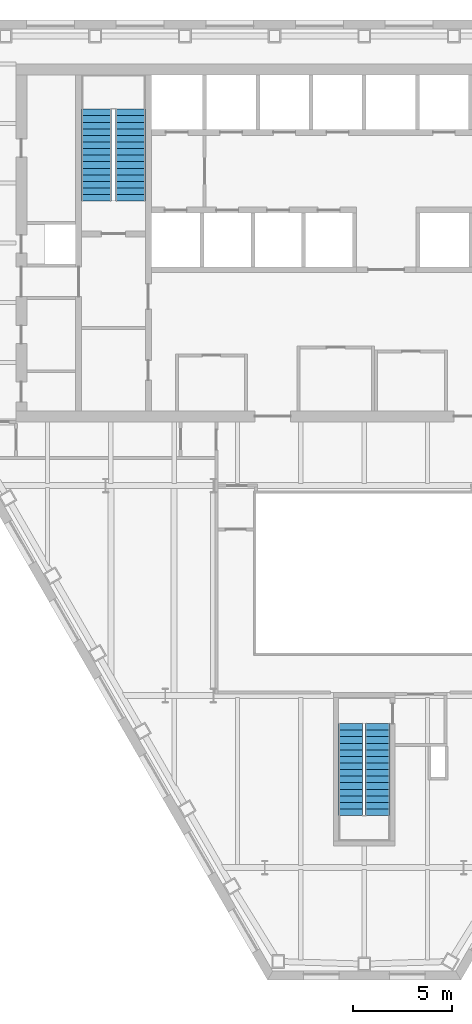
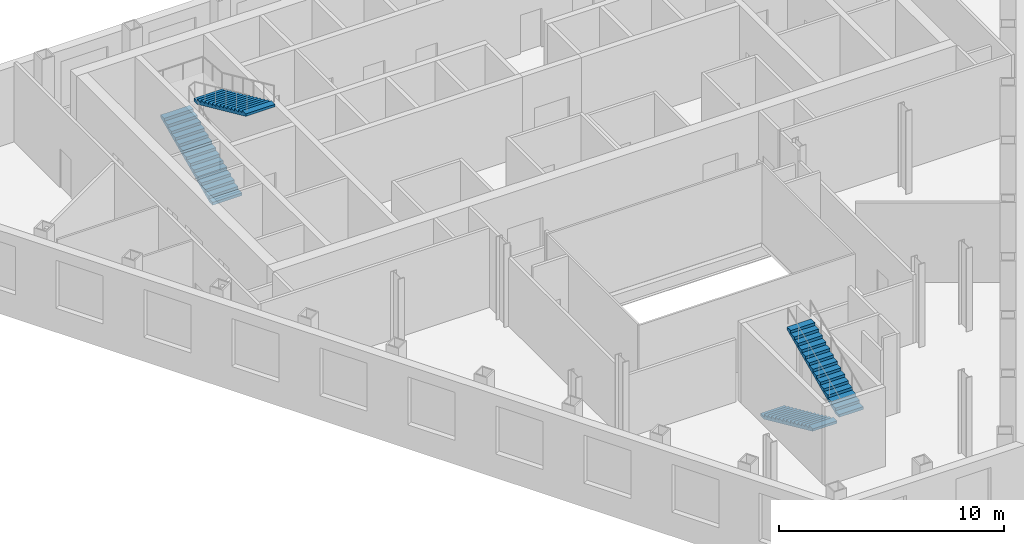
# One storey, part 9 of 11: 4 stair flights, 2 elements without a shape of their own.
"""IFC4 building model written with IfcOpenShell, lengths in metres."""

from ifc_helpers import new_model, si_unit, direction, frame, origin, place, context, subcontext, project, spatial, polygons, material, type_object, element, aggregate, save


model = new_model("IFC4")

# Units and contexts
model_context = context("Model", 3, precision=1e-05, world=origin(), true_north=direction((0.0, 1.0)))
body_context = subcontext(model_context, "Body", "Model", "MODEL_VIEW")
ifc_project = project(units=[si_unit("LENGTHUNIT", "METRE"), si_unit("AREAUNIT", "SQUARE_METRE"), si_unit("VOLUMEUNIT", "CUBIC_METRE"), si_unit("PLANEANGLEUNIT", "RADIAN"), si_unit("MASSUNIT", "GRAM", prefix="KILO")], contexts=[model_context])

# Site, building, storey
site_placement = place(None, origin())
site = spatial("IfcSite", under=ifc_project, at=site_placement, CompositionType="ELEMENT")
building_placement = place(site_placement, origin())
building = spatial("IfcBuilding", under=site, at=building_placement, Name="Njiva Tower", CompositionType="ELEMENT")
storey_placement = place(building_placement, frame((0.0, 0.0, 115.8)))
storey = spatial("IfcBuildingStorey", under=building, at=storey_placement, Name="L24", CompositionType="ELEMENT", Elevation=115.8)

# Stair, stair flights
ifc_material = material(Name="Concrete C40/50", Category="concrete")
stair_type_1 = type_object("IfcStairType", Name="ST1 Exit stair 1250", PredefinedType="HALF_TURN_STAIR", material=ifc_material)
stair_1_placement = place(storey_placement, origin())
stair_1 = element("IfcStair", 1, at=stair_1_placement, inside=storey, type_object=stair_type_1, Name="Stair C", PredefinedType="HALF_TURN_STAIR")
stair_flight_type_1 = type_object("IfcStairFlightType", Name="FL1 Stair flight 1250", PredefinedType="STRAIGHT", material=ifc_material)
stair_flight_1_placement = place(storey_placement, frame((-0.675, -15.16, 0.0), z_axis=(0.0, 0.0, 1.0), x_axis=(0.0, -1.0, 0.0)))
stair_flight_1 = element("IfcStairFlight", 2, at=stair_flight_1_placement, type_object=stair_flight_type_1, Name="ST-C flight 1", NumberOfRisers=15, NumberOfTreads=14, PredefinedType="STRAIGHT", RiserHeight=0.15, TreadLength=0.33, context=body_context, shape_type="Tessellation", body=[
    polygons([(0.0, 0.625, 0.0), (0.0, 0.3125, 0.0), (0.0, 0.0, 0.0), (0.0, -0.3125, 0.0), (0.0, -0.625, 0.0), (0.0, 0.625, 0.15), (0.0, 0.3125, 0.15), (0.0, 0.0, 0.15), (0.0, -0.3125, 0.15), (0.0, -0.625, 0.15), (0.33, 0.625, 0.15), (0.33, 0.3125, 0.15), (0.33, 0.0, 0.15), (0.33, -0.3125, 0.15), (0.33, -0.625, 0.15), (0.33, 0.625, 0.3), (0.33, 0.3125, 0.3), (0.33, 0.0, 0.3), (0.33, -0.3125, 0.3), (0.33, -0.625, 0.3), (0.66, 0.625, 0.3), (0.66, 0.3125, 0.3), (0.66, 0.0, 0.3), (0.66, -0.3125, 0.3), (0.66, -0.625, 0.3), (0.66, 0.625, 0.45), (0.66, 0.3125, 0.45), (0.66, 0.0, 0.45), (0.66, -0.3125, 0.45), (0.66, -0.625, 0.45), (0.99, 0.625, 0.45), (0.99, 0.3125, 0.45), (0.99, 0.0, 0.45), (0.99, -0.3125, 0.45), (0.99, -0.625, 0.45), (0.99, 0.625, 0.6), (0.99, 0.3125, 0.6), (0.99, 0.0, 0.6), (0.99, -0.3125, 0.6), (0.99, -0.625, 0.6), (1.32, 0.625, 0.6), (1.32, 0.3125, 0.6), (1.32, 0.0, 0.6), (1.32, -0.3125, 0.6), (1.32, -0.625, 0.6), (1.32, 0.625, 0.75), (1.32, 0.3125, 0.75), (1.32, 0.0, 0.75), (1.32, -0.3125, 0.75), (1.32, -0.625, 0.75), (1.65, 0.625, 0.75), (1.65, 0.3125, 0.75), (1.65, 0.0, 0.75), (1.65, -0.3125, 0.75), (1.65, -0.625, 0.75), (1.65, 0.625, 0.9), (1.65, 0.3125, 0.9), (1.65, 0.0, 0.9), (1.65, -0.3125, 0.9), (1.65, -0.625, 0.9), (1.98, 0.625, 0.9), (1.98, 0.3125, 0.9), (1.98, 0.0, 0.9), (1.98, -0.3125, 0.9), (1.98, -0.625, 0.9), (1.98, 0.625, 1.05), (1.98, 0.3125, 1.05), (1.98, 0.0, 1.05), (1.98, -0.3125, 1.05), (1.98, -0.625, 1.05), (2.31, 0.625, 1.05), (2.31, 0.3125, 1.05), (2.31, 0.0, 1.05), (2.31, -0.3125, 1.05), (2.31, -0.625, 1.05), (2.31, 0.625, 1.2), (2.31, 0.3125, 1.2), (2.31, 0.0, 1.2), (2.31, -0.3125, 1.2), (2.31, -0.625, 1.2), (2.64, 0.625, 1.2), (2.64, 0.3125, 1.2), (2.64, 0.0, 1.2), (2.64, -0.3125, 1.2), (2.64, -0.625, 1.2), (2.64, 0.625, 1.35), (2.64, 0.3125, 1.35), (2.64, 0.0, 1.35), (2.64, -0.3125, 1.35), (2.64, -0.625, 1.35), (2.97, 0.625, 1.35), (2.97, 0.3125, 1.35), (2.97, 0.0, 1.35), (2.97, -0.3125, 1.35), (2.97, -0.625, 1.35), (2.97, 0.625, 1.5), (2.97, 0.3125, 1.5), (2.97, 0.0, 1.5), (2.97, -0.3125, 1.5), (2.97, -0.625, 1.5), (3.3, 0.625, 1.5), (3.3, 0.3125, 1.5), (3.3, 0.0, 1.5), (3.3, -0.3125, 1.5), (3.3, -0.625, 1.5), (3.3, 0.625, 1.65), (3.3, 0.3125, 1.65), (3.3, 0.0, 1.65), (3.3, -0.3125, 1.65), (3.3, -0.625, 1.65), (3.63, 0.625, 1.65), (3.63, 0.3125, 1.65), (3.63, 0.0, 1.65), (3.63, -0.3125, 1.65), (3.63, -0.625, 1.65), (3.63, 0.625, 1.8), (3.63, 0.3125, 1.8), (3.63, 0.0, 1.8), (3.63, -0.3125, 1.8), (3.63, -0.625, 1.8), (3.96, 0.625, 1.8), (3.96, 0.3125, 1.8), (3.96, 0.0, 1.8), (3.96, -0.3125, 1.8), (3.96, -0.625, 1.8), (3.96, 0.625, 1.95), (3.96, 0.3125, 1.95), (3.96, 0.0, 1.95), (3.96, -0.3125, 1.95), (3.96, -0.625, 1.95), (4.29, 0.625, 1.95), (4.29, 0.3125, 1.95), (4.29, 0.0, 1.95), (4.29, -0.3125, 1.95), (4.29, -0.625, 1.95), (4.29, 0.625, 2.1), (4.29, 0.3125, 2.1), (4.29, 0.0, 2.1), (4.29, -0.3125, 2.1), (4.29, -0.625, 2.1), (4.62, 0.625, 2.1), (4.62, 0.3125, 2.1), (4.62, 0.0, 2.1), (4.62, -0.3125, 2.1), (4.62, -0.625, 2.1), (4.62, 0.625, 1.9682), (4.62, 0.3125, 1.9682), (4.62, 0.0, 1.9682), (4.62, -0.3125, 1.9682), (4.62, -0.625, 1.9682), (0.29, 0.625, 0.0), (0.29, 0.3125, 0.0), (0.29, 0.0, 0.0), (0.29, -0.3125, 0.0), (0.29, -0.625, 0.0)], [[[1, 6, 11, 16, 21, 26, 31, 36, 41, 46, 51, 56, 61, 66, 71, 76, 81, 86, 91, 96, 101, 106, 111, 116, 121, 126, 131, 136, 141, 146, 151]], [[155, 150, 145, 140, 135, 130, 125, 120, 115, 110, 105, 100, 95, 90, 85, 80, 75, 70, 65, 60, 55, 50, 45, 40, 35, 30, 25, 20, 15, 10, 5]], [[6, 1, 2, 7]], [[7, 2, 3, 8]], [[8, 3, 4, 9]], [[9, 4, 5, 10]], [[11, 6, 7, 12]], [[12, 7, 8, 13]], [[13, 8, 9, 14]], [[14, 9, 10, 15]], [[16, 11, 12, 17]], [[17, 12, 13, 18]], [[18, 13, 14, 19]], [[19, 14, 15, 20]], [[21, 16, 17, 22]], [[22, 17, 18, 23]], [[23, 18, 19, 24]], [[24, 19, 20, 25]], [[26, 21, 22, 27]], [[27, 22, 23, 28]], [[28, 23, 24, 29]], [[29, 24, 25, 30]], [[31, 26, 27, 32]], [[32, 27, 28, 33]], [[33, 28, 29, 34]], [[34, 29, 30, 35]], [[36, 31, 32, 37]], [[37, 32, 33, 38]], [[38, 33, 34, 39]], [[39, 34, 35, 40]], [[41, 36, 37, 42]], [[42, 37, 38, 43]], [[43, 38, 39, 44]], [[44, 39, 40, 45]], [[46, 41, 42, 47]], [[47, 42, 43, 48]], [[48, 43, 44, 49]], [[49, 44, 45, 50]], [[51, 46, 47, 52]], [[52, 47, 48, 53]], [[53, 48, 49, 54]], [[54, 49, 50, 55]], [[56, 51, 52, 57]], [[57, 52, 53, 58]], [[58, 53, 54, 59]], [[59, 54, 55, 60]], [[61, 56, 57, 62]], [[62, 57, 58, 63]], [[63, 58, 59, 64]], [[64, 59, 60, 65]], [[66, 61, 62, 67]], [[67, 62, 63, 68]], [[68, 63, 64, 69]], [[69, 64, 65, 70]], [[71, 66, 67, 72]], [[72, 67, 68, 73]], [[73, 68, 69, 74]], [[74, 69, 70, 75]], [[76, 71, 72, 77]], [[77, 72, 73, 78]], [[78, 73, 74, 79]], [[79, 74, 75, 80]], [[81, 76, 77, 82]], [[82, 77, 78, 83]], [[83, 78, 79, 84]], [[84, 79, 80, 85]], [[86, 81, 82, 87]], [[87, 82, 83, 88]], [[88, 83, 84, 89]], [[89, 84, 85, 90]], [[91, 86, 87, 92]], [[92, 87, 88, 93]], [[93, 88, 89, 94]], [[94, 89, 90, 95]], [[96, 91, 92, 97]], [[97, 92, 93, 98]], [[98, 93, 94, 99]], [[99, 94, 95, 100]], [[101, 96, 97, 102]], [[102, 97, 98, 103]], [[103, 98, 99, 104]], [[104, 99, 100, 105]], [[106, 101, 102, 107]], [[107, 102, 103, 108]], [[108, 103, 104, 109]], [[109, 104, 105, 110]], [[111, 106, 107, 112]], [[112, 107, 108, 113]], [[113, 108, 109, 114]], [[114, 109, 110, 115]], [[116, 111, 112, 117]], [[117, 112, 113, 118]], [[118, 113, 114, 119]], [[119, 114, 115, 120]], [[121, 116, 117, 122]], [[122, 117, 118, 123]], [[123, 118, 119, 124]], [[124, 119, 120, 125]], [[126, 121, 122, 127]], [[127, 122, 123, 128]], [[128, 123, 124, 129]], [[129, 124, 125, 130]], [[131, 126, 127, 132]], [[132, 127, 128, 133]], [[133, 128, 129, 134]], [[134, 129, 130, 135]], [[136, 131, 132, 137]], [[137, 132, 133, 138]], [[138, 133, 134, 139]], [[139, 134, 135, 140]], [[141, 136, 137, 142]], [[142, 137, 138, 143]], [[143, 138, 139, 144]], [[144, 139, 140, 145]], [[146, 141, 142, 147]], [[147, 142, 143, 148]], [[148, 143, 144, 149]], [[149, 144, 145, 150]], [[151, 146, 147, 152]], [[152, 147, 148, 153]], [[153, 148, 149, 154]], [[154, 149, 150, 155]], [[1, 151, 152, 2]], [[2, 152, 153, 3]], [[3, 153, 154, 4]], [[4, 154, 155, 5]]], closed=True),
])
stair_flight_2_placement = place(storey_placement, frame((0.675, -19.78, 2.25), z_axis=(0.0, 0.0, 1.0), x_axis=(0.0, 1.0, 0.0)))
stair_flight_2 = element("IfcStairFlight", 3, at=stair_flight_2_placement, type_object=stair_flight_type_1, Name="ST-C flight 2", NumberOfRisers=15, NumberOfTreads=14, PredefinedType="STRAIGHT", RiserHeight=0.15, TreadLength=0.33, context=body_context, shape_type="Tessellation", body=[
    polygons([(0.0, 0.625, 0.0), (0.0, 0.3125, 0.0), (0.0, 0.0, 0.0), (0.0, -0.3125, 0.0), (0.0, -0.625, 0.0), (0.0, 0.625, 0.15), (0.0, 0.3125, 0.15), (0.0, 0.0, 0.15), (0.0, -0.3125, 0.15), (0.0, -0.625, 0.15), (0.33, 0.625, 0.15), (0.33, 0.3125, 0.15), (0.33, 0.0, 0.15), (0.33, -0.3125, 0.15), (0.33, -0.625, 0.15), (0.33, 0.625, 0.3), (0.33, 0.3125, 0.3), (0.33, 0.0, 0.3), (0.33, -0.3125, 0.3), (0.33, -0.625, 0.3), (0.66, 0.625, 0.3), (0.66, 0.3125, 0.3), (0.66, 0.0, 0.3), (0.66, -0.3125, 0.3), (0.66, -0.625, 0.3), (0.66, 0.625, 0.45), (0.66, 0.3125, 0.45), (0.66, 0.0, 0.45), (0.66, -0.3125, 0.45), (0.66, -0.625, 0.45), (0.99, 0.625, 0.45), (0.99, 0.3125, 0.45), (0.99, 0.0, 0.45), (0.99, -0.3125, 0.45), (0.99, -0.625, 0.45), (0.99, 0.625, 0.6), (0.99, 0.3125, 0.6), (0.99, 0.0, 0.6), (0.99, -0.3125, 0.6), (0.99, -0.625, 0.6), (1.32, 0.625, 0.6), (1.32, 0.3125, 0.6), (1.32, 0.0, 0.6), (1.32, -0.3125, 0.6), (1.32, -0.625, 0.6), (1.32, 0.625, 0.75), (1.32, 0.3125, 0.75), (1.32, 0.0, 0.75), (1.32, -0.3125, 0.75), (1.32, -0.625, 0.75), (1.65, 0.625, 0.75), (1.65, 0.3125, 0.75), (1.65, 0.0, 0.75), (1.65, -0.3125, 0.75), (1.65, -0.625, 0.75), (1.65, 0.625, 0.9), (1.65, 0.3125, 0.9), (1.65, 0.0, 0.9), (1.65, -0.3125, 0.9), (1.65, -0.625, 0.9), (1.98, 0.625, 0.9), (1.98, 0.3125, 0.9), (1.98, 0.0, 0.9), (1.98, -0.3125, 0.9), (1.98, -0.625, 0.9), (1.98, 0.625, 1.05), (1.98, 0.3125, 1.05), (1.98, 0.0, 1.05), (1.98, -0.3125, 1.05), (1.98, -0.625, 1.05), (2.31, 0.625, 1.05), (2.31, 0.3125, 1.05), (2.31, 0.0, 1.05), (2.31, -0.3125, 1.05), (2.31, -0.625, 1.05), (2.31, 0.625, 1.2), (2.31, 0.3125, 1.2), (2.31, 0.0, 1.2), (2.31, -0.3125, 1.2), (2.31, -0.625, 1.2), (2.64, 0.625, 1.2), (2.64, 0.3125, 1.2), (2.64, 0.0, 1.2), (2.64, -0.3125, 1.2), (2.64, -0.625, 1.2), (2.64, 0.625, 1.35), (2.64, 0.3125, 1.35), (2.64, 0.0, 1.35), (2.64, -0.3125, 1.35), (2.64, -0.625, 1.35), (2.97, 0.625, 1.35), (2.97, 0.3125, 1.35), (2.97, 0.0, 1.35), (2.97, -0.3125, 1.35), (2.97, -0.625, 1.35), (2.97, 0.625, 1.5), (2.97, 0.3125, 1.5), (2.97, 0.0, 1.5), (2.97, -0.3125, 1.5), (2.97, -0.625, 1.5), (3.3, 0.625, 1.5), (3.3, 0.3125, 1.5), (3.3, 0.0, 1.5), (3.3, -0.3125, 1.5), (3.3, -0.625, 1.5), (3.3, 0.625, 1.65), (3.3, 0.3125, 1.65), (3.3, 0.0, 1.65), (3.3, -0.3125, 1.65), (3.3, -0.625, 1.65), (3.63, 0.625, 1.65), (3.63, 0.3125, 1.65), (3.63, 0.0, 1.65), (3.63, -0.3125, 1.65), (3.63, -0.625, 1.65), (3.63, 0.625, 1.8), (3.63, 0.3125, 1.8), (3.63, 0.0, 1.8), (3.63, -0.3125, 1.8), (3.63, -0.625, 1.8), (3.96, 0.625, 1.8), (3.96, 0.3125, 1.8), (3.96, 0.0, 1.8), (3.96, -0.3125, 1.8), (3.96, -0.625, 1.8), (3.96, 0.625, 1.95), (3.96, 0.3125, 1.95), (3.96, 0.0, 1.95), (3.96, -0.3125, 1.95), (3.96, -0.625, 1.95), (4.29, 0.625, 1.95), (4.29, 0.3125, 1.95), (4.29, 0.0, 1.95), (4.29, -0.3125, 1.95), (4.29, -0.625, 1.95), (4.29, 0.625, 2.1), (4.29, 0.3125, 2.1), (4.29, 0.0, 2.1), (4.29, -0.3125, 2.1), (4.29, -0.625, 2.1), (4.62, 0.625, 2.1), (4.62, 0.3125, 2.1), (4.62, 0.0, 2.1), (4.62, -0.3125, 2.1), (4.62, -0.625, 2.1), (4.62, 0.625, 1.9682), (4.62, 0.3125, 1.9682), (4.62, 0.0, 1.9682), (4.62, -0.3125, 1.9682), (4.62, -0.625, 1.9682), (0.29, 0.625, 0.0), (0.29, 0.3125, 0.0), (0.29, 0.0, 0.0), (0.29, -0.3125, 0.0), (0.29, -0.625, 0.0)], [[[1, 6, 11, 16, 21, 26, 31, 36, 41, 46, 51, 56, 61, 66, 71, 76, 81, 86, 91, 96, 101, 106, 111, 116, 121, 126, 131, 136, 141, 146, 151]], [[155, 150, 145, 140, 135, 130, 125, 120, 115, 110, 105, 100, 95, 90, 85, 80, 75, 70, 65, 60, 55, 50, 45, 40, 35, 30, 25, 20, 15, 10, 5]], [[6, 1, 2, 7]], [[7, 2, 3, 8]], [[8, 3, 4, 9]], [[9, 4, 5, 10]], [[11, 6, 7, 12]], [[12, 7, 8, 13]], [[13, 8, 9, 14]], [[14, 9, 10, 15]], [[16, 11, 12, 17]], [[17, 12, 13, 18]], [[18, 13, 14, 19]], [[19, 14, 15, 20]], [[21, 16, 17, 22]], [[22, 17, 18, 23]], [[23, 18, 19, 24]], [[24, 19, 20, 25]], [[26, 21, 22, 27]], [[27, 22, 23, 28]], [[28, 23, 24, 29]], [[29, 24, 25, 30]], [[31, 26, 27, 32]], [[32, 27, 28, 33]], [[33, 28, 29, 34]], [[34, 29, 30, 35]], [[36, 31, 32, 37]], [[37, 32, 33, 38]], [[38, 33, 34, 39]], [[39, 34, 35, 40]], [[41, 36, 37, 42]], [[42, 37, 38, 43]], [[43, 38, 39, 44]], [[44, 39, 40, 45]], [[46, 41, 42, 47]], [[47, 42, 43, 48]], [[48, 43, 44, 49]], [[49, 44, 45, 50]], [[51, 46, 47, 52]], [[52, 47, 48, 53]], [[53, 48, 49, 54]], [[54, 49, 50, 55]], [[56, 51, 52, 57]], [[57, 52, 53, 58]], [[58, 53, 54, 59]], [[59, 54, 55, 60]], [[61, 56, 57, 62]], [[62, 57, 58, 63]], [[63, 58, 59, 64]], [[64, 59, 60, 65]], [[66, 61, 62, 67]], [[67, 62, 63, 68]], [[68, 63, 64, 69]], [[69, 64, 65, 70]], [[71, 66, 67, 72]], [[72, 67, 68, 73]], [[73, 68, 69, 74]], [[74, 69, 70, 75]], [[76, 71, 72, 77]], [[77, 72, 73, 78]], [[78, 73, 74, 79]], [[79, 74, 75, 80]], [[81, 76, 77, 82]], [[82, 77, 78, 83]], [[83, 78, 79, 84]], [[84, 79, 80, 85]], [[86, 81, 82, 87]], [[87, 82, 83, 88]], [[88, 83, 84, 89]], [[89, 84, 85, 90]], [[91, 86, 87, 92]], [[92, 87, 88, 93]], [[93, 88, 89, 94]], [[94, 89, 90, 95]], [[96, 91, 92, 97]], [[97, 92, 93, 98]], [[98, 93, 94, 99]], [[99, 94, 95, 100]], [[101, 96, 97, 102]], [[102, 97, 98, 103]], [[103, 98, 99, 104]], [[104, 99, 100, 105]], [[106, 101, 102, 107]], [[107, 102, 103, 108]], [[108, 103, 104, 109]], [[109, 104, 105, 110]], [[111, 106, 107, 112]], [[112, 107, 108, 113]], [[113, 108, 109, 114]], [[114, 109, 110, 115]], [[116, 111, 112, 117]], [[117, 112, 113, 118]], [[118, 113, 114, 119]], [[119, 114, 115, 120]], [[121, 116, 117, 122]], [[122, 117, 118, 123]], [[123, 118, 119, 124]], [[124, 119, 120, 125]], [[126, 121, 122, 127]], [[127, 122, 123, 128]], [[128, 123, 124, 129]], [[129, 124, 125, 130]], [[131, 126, 127, 132]], [[132, 127, 128, 133]], [[133, 128, 129, 134]], [[134, 129, 130, 135]], [[136, 131, 132, 137]], [[137, 132, 133, 138]], [[138, 133, 134, 139]], [[139, 134, 135, 140]], [[141, 136, 137, 142]], [[142, 137, 138, 143]], [[143, 138, 139, 144]], [[144, 139, 140, 145]], [[146, 141, 142, 147]], [[147, 142, 143, 148]], [[148, 143, 144, 149]], [[149, 144, 145, 150]], [[151, 146, 147, 152]], [[152, 147, 148, 153]], [[153, 148, 149, 154]], [[154, 149, 150, 155]], [[1, 151, 152, 2]], [[2, 152, 153, 3]], [[3, 153, 154, 4]], [[4, 154, 155, 5]]], closed=True),
])
aggregate(stair_1, [stair_flight_1, stair_flight_2])

stair_type_2 = type_object("IfcStairType", Name="ST4 Exit stair 1500", PredefinedType="HALF_TURN_STAIR", material=ifc_material)
stair_2_placement = place(storey_placement, origin())
stair_2 = element("IfcStair", 4, at=stair_2_placement, inside=storey, type_object=stair_type_2, Name="Stair A", PredefinedType="HALF_TURN_STAIR")
stair_flight_type_2 = type_object("IfcStairFlightType", Name="FL4 Stair flight 1500", PredefinedType="STRAIGHT", material=ifc_material)
stair_flight_3_placement = place(storey_placement, frame((-13.45, 11.1, 0.0), z_axis=(0.0, 0.0, 1.0), x_axis=(0.0, 1.0, 0.0)))
stair_flight_3 = element("IfcStairFlight", 5, at=stair_flight_3_placement, type_object=stair_flight_type_2, Name="ST-A flight 1", NumberOfRisers=15, NumberOfTreads=14, PredefinedType="STRAIGHT", RiserHeight=0.15, TreadLength=0.33, context=body_context, shape_type="Tessellation", body=[
    polygons([(0.0, 0.75, 0.0), (0.0, 0.375, 0.0), (0.0, 0.0, 0.0), (0.0, -0.375, 0.0), (0.0, -0.75, 0.0), (0.0, 0.75, 0.15), (0.0, 0.375, 0.15), (0.0, 0.0, 0.15), (0.0, -0.375, 0.15), (0.0, -0.75, 0.15), (0.33, 0.75, 0.15), (0.33, 0.375, 0.15), (0.33, 0.0, 0.15), (0.33, -0.375, 0.15), (0.33, -0.75, 0.15), (0.33, 0.75, 0.3), (0.33, 0.375, 0.3), (0.33, 0.0, 0.3), (0.33, -0.375, 0.3), (0.33, -0.75, 0.3), (0.66, 0.75, 0.3), (0.66, 0.375, 0.3), (0.66, 0.0, 0.3), (0.66, -0.375, 0.3), (0.66, -0.75, 0.3), (0.66, 0.75, 0.45), (0.66, 0.375, 0.45), (0.66, 0.0, 0.45), (0.66, -0.375, 0.45), (0.66, -0.75, 0.45), (0.99, 0.75, 0.45), (0.99, 0.375, 0.45), (0.99, 0.0, 0.45), (0.99, -0.375, 0.45), (0.99, -0.75, 0.45), (0.99, 0.75, 0.6), (0.99, 0.375, 0.6), (0.99, 0.0, 0.6), (0.99, -0.375, 0.6), (0.99, -0.75, 0.6), (1.32, 0.75, 0.6), (1.32, 0.375, 0.6), (1.32, 0.0, 0.6), (1.32, -0.375, 0.6), (1.32, -0.75, 0.6), (1.32, 0.75, 0.75), (1.32, 0.375, 0.75), (1.32, 0.0, 0.75), (1.32, -0.375, 0.75), (1.32, -0.75, 0.75), (1.65, 0.75, 0.75), (1.65, 0.375, 0.75), (1.65, 0.0, 0.75), (1.65, -0.375, 0.75), (1.65, -0.75, 0.75), (1.65, 0.75, 0.9), (1.65, 0.375, 0.9), (1.65, 0.0, 0.9), (1.65, -0.375, 0.9), (1.65, -0.75, 0.9), (1.98, 0.75, 0.9), (1.98, 0.375, 0.9), (1.98, 0.0, 0.9), (1.98, -0.375, 0.9), (1.98, -0.75, 0.9), (1.98, 0.75, 1.05), (1.98, 0.375, 1.05), (1.98, 0.0, 1.05), (1.98, -0.375, 1.05), (1.98, -0.75, 1.05), (2.31, 0.75, 1.05), (2.31, 0.375, 1.05), (2.31, 0.0, 1.05), (2.31, -0.375, 1.05), (2.31, -0.75, 1.05), (2.31, 0.75, 1.2), (2.31, 0.375, 1.2), (2.31, 0.0, 1.2), (2.31, -0.375, 1.2), (2.31, -0.75, 1.2), (2.64, 0.75, 1.2), (2.64, 0.375, 1.2), (2.64, 0.0, 1.2), (2.64, -0.375, 1.2), (2.64, -0.75, 1.2), (2.64, 0.75, 1.35), (2.64, 0.375, 1.35), (2.64, 0.0, 1.35), (2.64, -0.375, 1.35), (2.64, -0.75, 1.35), (2.97, 0.75, 1.35), (2.97, 0.375, 1.35), (2.97, 0.0, 1.35), (2.97, -0.375, 1.35), (2.97, -0.75, 1.35), (2.97, 0.75, 1.5), (2.97, 0.375, 1.5), (2.97, 0.0, 1.5), (2.97, -0.375, 1.5), (2.97, -0.75, 1.5), (3.3, 0.75, 1.5), (3.3, 0.375, 1.5), (3.3, 0.0, 1.5), (3.3, -0.375, 1.5), (3.3, -0.75, 1.5), (3.3, 0.75, 1.65), (3.3, 0.375, 1.65), (3.3, 0.0, 1.65), (3.3, -0.375, 1.65), (3.3, -0.75, 1.65), (3.63, 0.75, 1.65), (3.63, 0.375, 1.65), (3.63, 0.0, 1.65), (3.63, -0.375, 1.65), (3.63, -0.75, 1.65), (3.63, 0.75, 1.8), (3.63, 0.375, 1.8), (3.63, 0.0, 1.8), (3.63, -0.375, 1.8), (3.63, -0.75, 1.8), (3.96, 0.75, 1.8), (3.96, 0.375, 1.8), (3.96, 0.0, 1.8), (3.96, -0.375, 1.8), (3.96, -0.75, 1.8), (3.96, 0.75, 1.95), (3.96, 0.375, 1.95), (3.96, 0.0, 1.95), (3.96, -0.375, 1.95), (3.96, -0.75, 1.95), (4.29, 0.75, 1.95), (4.29, 0.375, 1.95), (4.29, 0.0, 1.95), (4.29, -0.375, 1.95), (4.29, -0.75, 1.95), (4.29, 0.75, 2.1), (4.29, 0.375, 2.1), (4.29, 0.0, 2.1), (4.29, -0.375, 2.1), (4.29, -0.75, 2.1), (4.62, 0.75, 2.1), (4.62, 0.375, 2.1), (4.62, 0.0, 2.1), (4.62, -0.375, 2.1), (4.62, -0.75, 2.1), (4.62, 0.75, 1.9682), (4.62, 0.375, 1.9682), (4.62, 0.0, 1.9682), (4.62, -0.375, 1.9682), (4.62, -0.75, 1.9682), (0.29, 0.75, 0.0), (0.29, 0.375, 0.0), (0.29, 0.0, 0.0), (0.29, -0.375, 0.0), (0.29, -0.75, 0.0)], [[[1, 6, 11, 16, 21, 26, 31, 36, 41, 46, 51, 56, 61, 66, 71, 76, 81, 86, 91, 96, 101, 106, 111, 116, 121, 126, 131, 136, 141, 146, 151]], [[155, 150, 145, 140, 135, 130, 125, 120, 115, 110, 105, 100, 95, 90, 85, 80, 75, 70, 65, 60, 55, 50, 45, 40, 35, 30, 25, 20, 15, 10, 5]], [[6, 1, 2, 7]], [[7, 2, 3, 8]], [[8, 3, 4, 9]], [[9, 4, 5, 10]], [[11, 6, 7, 12]], [[12, 7, 8, 13]], [[13, 8, 9, 14]], [[14, 9, 10, 15]], [[16, 11, 12, 17]], [[17, 12, 13, 18]], [[18, 13, 14, 19]], [[19, 14, 15, 20]], [[21, 16, 17, 22]], [[22, 17, 18, 23]], [[23, 18, 19, 24]], [[24, 19, 20, 25]], [[26, 21, 22, 27]], [[27, 22, 23, 28]], [[28, 23, 24, 29]], [[29, 24, 25, 30]], [[31, 26, 27, 32]], [[32, 27, 28, 33]], [[33, 28, 29, 34]], [[34, 29, 30, 35]], [[36, 31, 32, 37]], [[37, 32, 33, 38]], [[38, 33, 34, 39]], [[39, 34, 35, 40]], [[41, 36, 37, 42]], [[42, 37, 38, 43]], [[43, 38, 39, 44]], [[44, 39, 40, 45]], [[46, 41, 42, 47]], [[47, 42, 43, 48]], [[48, 43, 44, 49]], [[49, 44, 45, 50]], [[51, 46, 47, 52]], [[52, 47, 48, 53]], [[53, 48, 49, 54]], [[54, 49, 50, 55]], [[56, 51, 52, 57]], [[57, 52, 53, 58]], [[58, 53, 54, 59]], [[59, 54, 55, 60]], [[61, 56, 57, 62]], [[62, 57, 58, 63]], [[63, 58, 59, 64]], [[64, 59, 60, 65]], [[66, 61, 62, 67]], [[67, 62, 63, 68]], [[68, 63, 64, 69]], [[69, 64, 65, 70]], [[71, 66, 67, 72]], [[72, 67, 68, 73]], [[73, 68, 69, 74]], [[74, 69, 70, 75]], [[76, 71, 72, 77]], [[77, 72, 73, 78]], [[78, 73, 74, 79]], [[79, 74, 75, 80]], [[81, 76, 77, 82]], [[82, 77, 78, 83]], [[83, 78, 79, 84]], [[84, 79, 80, 85]], [[86, 81, 82, 87]], [[87, 82, 83, 88]], [[88, 83, 84, 89]], [[89, 84, 85, 90]], [[91, 86, 87, 92]], [[92, 87, 88, 93]], [[93, 88, 89, 94]], [[94, 89, 90, 95]], [[96, 91, 92, 97]], [[97, 92, 93, 98]], [[98, 93, 94, 99]], [[99, 94, 95, 100]], [[101, 96, 97, 102]], [[102, 97, 98, 103]], [[103, 98, 99, 104]], [[104, 99, 100, 105]], [[106, 101, 102, 107]], [[107, 102, 103, 108]], [[108, 103, 104, 109]], [[109, 104, 105, 110]], [[111, 106, 107, 112]], [[112, 107, 108, 113]], [[113, 108, 109, 114]], [[114, 109, 110, 115]], [[116, 111, 112, 117]], [[117, 112, 113, 118]], [[118, 113, 114, 119]], [[119, 114, 115, 120]], [[121, 116, 117, 122]], [[122, 117, 118, 123]], [[123, 118, 119, 124]], [[124, 119, 120, 125]], [[126, 121, 122, 127]], [[127, 122, 123, 128]], [[128, 123, 124, 129]], [[129, 124, 125, 130]], [[131, 126, 127, 132]], [[132, 127, 128, 133]], [[133, 128, 129, 134]], [[134, 129, 130, 135]], [[136, 131, 132, 137]], [[137, 132, 133, 138]], [[138, 133, 134, 139]], [[139, 134, 135, 140]], [[141, 136, 137, 142]], [[142, 137, 138, 143]], [[143, 138, 139, 144]], [[144, 139, 140, 145]], [[146, 141, 142, 147]], [[147, 142, 143, 148]], [[148, 143, 144, 149]], [[149, 144, 145, 150]], [[151, 146, 147, 152]], [[152, 147, 148, 153]], [[153, 148, 149, 154]], [[154, 149, 150, 155]], [[1, 151, 152, 2]], [[2, 152, 153, 3]], [[3, 153, 154, 4]], [[4, 154, 155, 5]]], closed=True),
])
stair_flight_4_placement = place(storey_placement, frame((-11.75, 15.72, 2.25), z_axis=(0.0, 0.0, 1.0), x_axis=(0.0, -1.0, 0.0)))
stair_flight_4 = element("IfcStairFlight", 6, at=stair_flight_4_placement, type_object=stair_flight_type_2, Name="ST-A flight 2", NumberOfRisers=15, NumberOfTreads=14, PredefinedType="STRAIGHT", RiserHeight=0.15, TreadLength=0.33, context=body_context, shape_type="Tessellation", body=[
    polygons([(0.0, 0.75, 0.0), (0.0, 0.375, 0.0), (0.0, 0.0, 0.0), (0.0, -0.375, 0.0), (0.0, -0.75, 0.0), (0.0, 0.75, 0.15), (0.0, 0.375, 0.15), (0.0, 0.0, 0.15), (0.0, -0.375, 0.15), (0.0, -0.75, 0.15), (0.33, 0.75, 0.15), (0.33, 0.375, 0.15), (0.33, 0.0, 0.15), (0.33, -0.375, 0.15), (0.33, -0.75, 0.15), (0.33, 0.75, 0.3), (0.33, 0.375, 0.3), (0.33, 0.0, 0.3), (0.33, -0.375, 0.3), (0.33, -0.75, 0.3), (0.66, 0.75, 0.3), (0.66, 0.375, 0.3), (0.66, 0.0, 0.3), (0.66, -0.375, 0.3), (0.66, -0.75, 0.3), (0.66, 0.75, 0.45), (0.66, 0.375, 0.45), (0.66, 0.0, 0.45), (0.66, -0.375, 0.45), (0.66, -0.75, 0.45), (0.99, 0.75, 0.45), (0.99, 0.375, 0.45), (0.99, 0.0, 0.45), (0.99, -0.375, 0.45), (0.99, -0.75, 0.45), (0.99, 0.75, 0.6), (0.99, 0.375, 0.6), (0.99, 0.0, 0.6), (0.99, -0.375, 0.6), (0.99, -0.75, 0.6), (1.32, 0.75, 0.6), (1.32, 0.375, 0.6), (1.32, 0.0, 0.6), (1.32, -0.375, 0.6), (1.32, -0.75, 0.6), (1.32, 0.75, 0.75), (1.32, 0.375, 0.75), (1.32, 0.0, 0.75), (1.32, -0.375, 0.75), (1.32, -0.75, 0.75), (1.65, 0.75, 0.75), (1.65, 0.375, 0.75), (1.65, 0.0, 0.75), (1.65, -0.375, 0.75), (1.65, -0.75, 0.75), (1.65, 0.75, 0.9), (1.65, 0.375, 0.9), (1.65, 0.0, 0.9), (1.65, -0.375, 0.9), (1.65, -0.75, 0.9), (1.98, 0.75, 0.9), (1.98, 0.375, 0.9), (1.98, 0.0, 0.9), (1.98, -0.375, 0.9), (1.98, -0.75, 0.9), (1.98, 0.75, 1.05), (1.98, 0.375, 1.05), (1.98, 0.0, 1.05), (1.98, -0.375, 1.05), (1.98, -0.75, 1.05), (2.31, 0.75, 1.05), (2.31, 0.375, 1.05), (2.31, 0.0, 1.05), (2.31, -0.375, 1.05), (2.31, -0.75, 1.05), (2.31, 0.75, 1.2), (2.31, 0.375, 1.2), (2.31, 0.0, 1.2), (2.31, -0.375, 1.2), (2.31, -0.75, 1.2), (2.64, 0.75, 1.2), (2.64, 0.375, 1.2), (2.64, 0.0, 1.2), (2.64, -0.375, 1.2), (2.64, -0.75, 1.2), (2.64, 0.75, 1.35), (2.64, 0.375, 1.35), (2.64, 0.0, 1.35), (2.64, -0.375, 1.35), (2.64, -0.75, 1.35), (2.97, 0.75, 1.35), (2.97, 0.375, 1.35), (2.97, 0.0, 1.35), (2.97, -0.375, 1.35), (2.97, -0.75, 1.35), (2.97, 0.75, 1.5), (2.97, 0.375, 1.5), (2.97, 0.0, 1.5), (2.97, -0.375, 1.5), (2.97, -0.75, 1.5), (3.3, 0.75, 1.5), (3.3, 0.375, 1.5), (3.3, 0.0, 1.5), (3.3, -0.375, 1.5), (3.3, -0.75, 1.5), (3.3, 0.75, 1.65), (3.3, 0.375, 1.65), (3.3, 0.0, 1.65), (3.3, -0.375, 1.65), (3.3, -0.75, 1.65), (3.63, 0.75, 1.65), (3.63, 0.375, 1.65), (3.63, 0.0, 1.65), (3.63, -0.375, 1.65), (3.63, -0.75, 1.65), (3.63, 0.75, 1.8), (3.63, 0.375, 1.8), (3.63, 0.0, 1.8), (3.63, -0.375, 1.8), (3.63, -0.75, 1.8), (3.96, 0.75, 1.8), (3.96, 0.375, 1.8), (3.96, 0.0, 1.8), (3.96, -0.375, 1.8), (3.96, -0.75, 1.8), (3.96, 0.75, 1.95), (3.96, 0.375, 1.95), (3.96, 0.0, 1.95), (3.96, -0.375, 1.95), (3.96, -0.75, 1.95), (4.29, 0.75, 1.95), (4.29, 0.375, 1.95), (4.29, 0.0, 1.95), (4.29, -0.375, 1.95), (4.29, -0.75, 1.95), (4.29, 0.75, 2.1), (4.29, 0.375, 2.1), (4.29, 0.0, 2.1), (4.29, -0.375, 2.1), (4.29, -0.75, 2.1), (4.62, 0.75, 2.1), (4.62, 0.375, 2.1), (4.62, 0.0, 2.1), (4.62, -0.375, 2.1), (4.62, -0.75, 2.1), (4.62, 0.75, 1.9682), (4.62, 0.375, 1.9682), (4.62, 0.0, 1.9682), (4.62, -0.375, 1.9682), (4.62, -0.75, 1.9682), (0.29, 0.75, 0.0), (0.29, 0.375, 0.0), (0.29, 0.0, 0.0), (0.29, -0.375, 0.0), (0.29, -0.75, 0.0)], [[[1, 6, 11, 16, 21, 26, 31, 36, 41, 46, 51, 56, 61, 66, 71, 76, 81, 86, 91, 96, 101, 106, 111, 116, 121, 126, 131, 136, 141, 146, 151]], [[155, 150, 145, 140, 135, 130, 125, 120, 115, 110, 105, 100, 95, 90, 85, 80, 75, 70, 65, 60, 55, 50, 45, 40, 35, 30, 25, 20, 15, 10, 5]], [[6, 1, 2, 7]], [[7, 2, 3, 8]], [[8, 3, 4, 9]], [[9, 4, 5, 10]], [[11, 6, 7, 12]], [[12, 7, 8, 13]], [[13, 8, 9, 14]], [[14, 9, 10, 15]], [[16, 11, 12, 17]], [[17, 12, 13, 18]], [[18, 13, 14, 19]], [[19, 14, 15, 20]], [[21, 16, 17, 22]], [[22, 17, 18, 23]], [[23, 18, 19, 24]], [[24, 19, 20, 25]], [[26, 21, 22, 27]], [[27, 22, 23, 28]], [[28, 23, 24, 29]], [[29, 24, 25, 30]], [[31, 26, 27, 32]], [[32, 27, 28, 33]], [[33, 28, 29, 34]], [[34, 29, 30, 35]], [[36, 31, 32, 37]], [[37, 32, 33, 38]], [[38, 33, 34, 39]], [[39, 34, 35, 40]], [[41, 36, 37, 42]], [[42, 37, 38, 43]], [[43, 38, 39, 44]], [[44, 39, 40, 45]], [[46, 41, 42, 47]], [[47, 42, 43, 48]], [[48, 43, 44, 49]], [[49, 44, 45, 50]], [[51, 46, 47, 52]], [[52, 47, 48, 53]], [[53, 48, 49, 54]], [[54, 49, 50, 55]], [[56, 51, 52, 57]], [[57, 52, 53, 58]], [[58, 53, 54, 59]], [[59, 54, 55, 60]], [[61, 56, 57, 62]], [[62, 57, 58, 63]], [[63, 58, 59, 64]], [[64, 59, 60, 65]], [[66, 61, 62, 67]], [[67, 62, 63, 68]], [[68, 63, 64, 69]], [[69, 64, 65, 70]], [[71, 66, 67, 72]], [[72, 67, 68, 73]], [[73, 68, 69, 74]], [[74, 69, 70, 75]], [[76, 71, 72, 77]], [[77, 72, 73, 78]], [[78, 73, 74, 79]], [[79, 74, 75, 80]], [[81, 76, 77, 82]], [[82, 77, 78, 83]], [[83, 78, 79, 84]], [[84, 79, 80, 85]], [[86, 81, 82, 87]], [[87, 82, 83, 88]], [[88, 83, 84, 89]], [[89, 84, 85, 90]], [[91, 86, 87, 92]], [[92, 87, 88, 93]], [[93, 88, 89, 94]], [[94, 89, 90, 95]], [[96, 91, 92, 97]], [[97, 92, 93, 98]], [[98, 93, 94, 99]], [[99, 94, 95, 100]], [[101, 96, 97, 102]], [[102, 97, 98, 103]], [[103, 98, 99, 104]], [[104, 99, 100, 105]], [[106, 101, 102, 107]], [[107, 102, 103, 108]], [[108, 103, 104, 109]], [[109, 104, 105, 110]], [[111, 106, 107, 112]], [[112, 107, 108, 113]], [[113, 108, 109, 114]], [[114, 109, 110, 115]], [[116, 111, 112, 117]], [[117, 112, 113, 118]], [[118, 113, 114, 119]], [[119, 114, 115, 120]], [[121, 116, 117, 122]], [[122, 117, 118, 123]], [[123, 118, 119, 124]], [[124, 119, 120, 125]], [[126, 121, 122, 127]], [[127, 122, 123, 128]], [[128, 123, 124, 129]], [[129, 124, 125, 130]], [[131, 126, 127, 132]], [[132, 127, 128, 133]], [[133, 128, 129, 134]], [[134, 129, 130, 135]], [[136, 131, 132, 137]], [[137, 132, 133, 138]], [[138, 133, 134, 139]], [[139, 134, 135, 140]], [[141, 136, 137, 142]], [[142, 137, 138, 143]], [[143, 138, 139, 144]], [[144, 139, 140, 145]], [[146, 141, 142, 147]], [[147, 142, 143, 148]], [[148, 143, 144, 149]], [[149, 144, 145, 150]], [[151, 146, 147, 152]], [[152, 147, 148, 153]], [[153, 148, 149, 154]], [[154, 149, 150, 155]], [[1, 151, 152, 2]], [[2, 152, 153, 3]], [[3, 153, 154, 4]], [[4, 154, 155, 5]]], closed=True),
])
aggregate(stair_2, [stair_flight_3, stair_flight_4])

save(model, "model.ifc")
